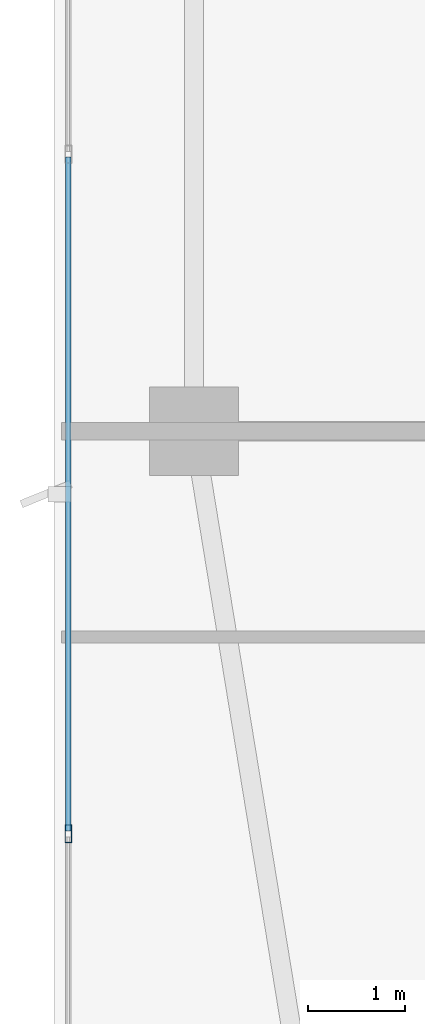
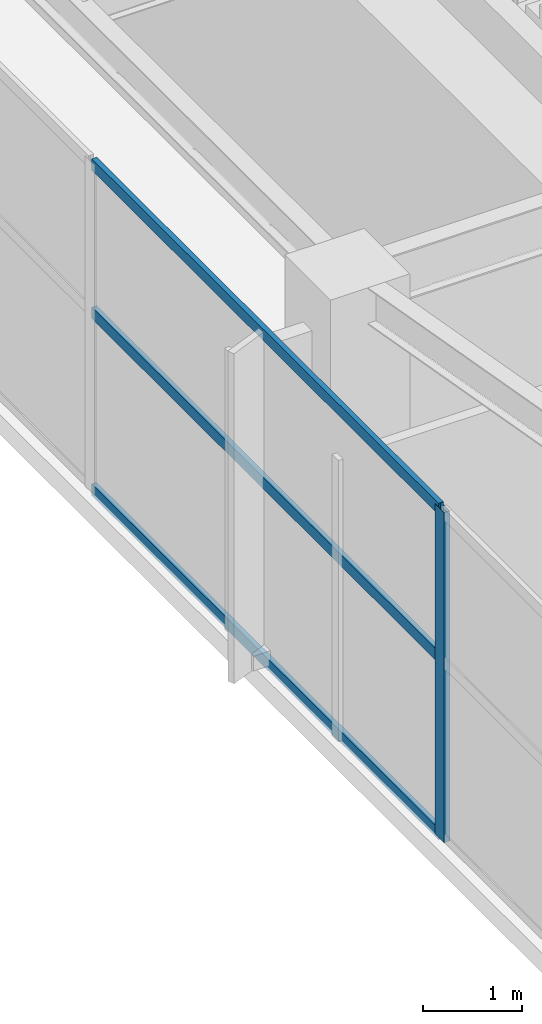
# One storey, part 4 of 29: 4 members, 1 element without a shape of its own.
"""IFC4 building model written with IfcOpenShell, lengths in metres."""

from ifc_helpers import new_model, si_unit, direction, frame, origin, origin_2d, place, context, subcontext, project, spatial, hollow_rectangle, extrude, material, layer, layer_set, material_profile, profile_set, type_object, element, aggregate, save


model = new_model("IFC4")

# Units and contexts
model_context = context("Model", 3, precision=1e-05, world=origin(), true_north=direction((0.0, 1.0)))
body_context = subcontext(model_context, "Body", "Model", "MODEL_VIEW")
ifc_project = project(units=[si_unit("LENGTHUNIT", "METRE"), si_unit("AREAUNIT", "SQUARE_METRE"), si_unit("VOLUMEUNIT", "CUBIC_METRE"), si_unit("PLANEANGLEUNIT", "RADIAN"), si_unit("MASSUNIT", "GRAM", prefix="KILO")], contexts=[model_context])

# Site, building, storey
site_placement = place(None, origin())
site = spatial("IfcSite", under=ifc_project, at=site_placement, CompositionType="ELEMENT")
building_placement = place(site_placement, origin())
building = spatial("IfcBuilding", under=site, at=building_placement, Name="Calvorn Quay Hotel", CompositionType="ELEMENT")
storey_placement = place(building_placement, frame((0.0, 0.0, 214.800048828125)))
storey = spatial("IfcBuildingStorey", under=building, at=storey_placement, Name="L53", CompositionType="ELEMENT", Elevation=214.800048828125)

# Curtain wall, members
ifc_material_1 = material(Name="Champagne Bronze Anodised Aluminium and Low-E Glass", Category="aluminium")
ifc_layer = layer(ifc_material_1, 0.219970703125)
ifc_layer_set = layer_set([ifc_layer], Name="CW-SYS-Z3")
curtain_wall_type = type_object("IfcCurtainWallType", Name="CW-SYS-Z3", PredefinedType="NOTDEFINED", material=ifc_layer_set)
curtain_wall_placement = place(storey_placement, origin())
curtain_wall = element("IfcCurtainWall", 1, at=curtain_wall_placement, inside=storey, type_object=curtain_wall_type, Name="Tower West Curtain Wall (L53)", PredefinedType="NOTDEFINED")
ifc_material_2 = material(Name="Champagne Bronze Anodised Aluminium 6063-T6", Category="aluminium")
ifc_material_profile_1 = material_profile(ifc_material_2, hollow_rectangle(XDim=0.068115234375, YDim=0.18505859375, WallThickness=0.00390625, at=origin_2d()), Name="ALU-M185x68x4")
ifc_profile_set_1 = profile_set([ifc_material_profile_1], Name="Champagne Bronze Anodised Aluminium 6063-T6")
member_type_1 = type_object("IfcMemberType", Name="CW-SYS-Z3-MUL", PredefinedType="MULLION", material=ifc_profile_set_1)
member_1_placement = place(storey_placement, frame((0.14990234375, 12.63330078125, 0.0), z_axis=(0.0, 0.0, 1.0), x_axis=(-1.0, 0.0, 0.0)))
member_1 = element("IfcMember", 2, at=member_1_placement, type_object=member_type_1, Name="CW-L53-W mullion 2", PredefinedType="MULLION", context=body_context, shape_type="SweptSolid", body=[
    extrude(hollow_rectangle(XDim=0.068115234375, YDim=0.18505859375, WallThickness=0.00390625, at=origin_2d()), origin(), (0.0, 0.0, 1.0), 4.050048828125),
])
ifc_material_3 = material(Name="Champagne Bronze Anodised Aluminium 6063-T6", Category="aluminium")
ifc_material_profile_2 = material_profile(ifc_material_3, hollow_rectangle(XDim=0.05810546875, YDim=0.139892578125, WallThickness=0.003173828125, at=origin_2d()), Name="ALU-T140x58x3.2")
ifc_profile_set_2 = profile_set([ifc_material_profile_2], Name="Champagne Bronze Anodised Aluminium 6063-T6")
member_type_2 = type_object("IfcMemberType", Name="CW-SYS-Z3-TRN", PredefinedType="USERDEFINED", material=ifc_profile_set_2)
member_2_placement = place(storey_placement, frame((0.14990234375, 12.663330078125, 0.030029296875), z_axis=(0.0, 1.0, 0.0), x_axis=(-1.0, 0.0, 0.0)))
member_2 = element("IfcMember", 3, at=member_2_placement, type_object=member_type_2, Name="CW-L53-W transom 2.1", ObjectType="TRANSOM", PredefinedType="USERDEFINED", context=body_context, shape_type="SweptSolid", body=[
    extrude(hollow_rectangle(XDim=0.05810546875, YDim=0.139892578125, WallThickness=0.003173828125, at=origin_2d()), origin(), (0.0, 0.0, 1.0), 6.973388671875),
])
member_3_placement = place(storey_placement, frame((0.14990234375, 12.663330078125, 2.199951171875), z_axis=(0.0, 1.0, 0.0), x_axis=(-1.0, 0.0, 0.0)))
member_3 = element("IfcMember", 4, at=member_3_placement, type_object=member_type_2, Name="CW-L53-W transom 2.2", ObjectType="TRANSOM", PredefinedType="USERDEFINED", context=body_context, shape_type="SweptSolid", body=[
    extrude(hollow_rectangle(XDim=0.05810546875, YDim=0.139892578125, WallThickness=0.003173828125, at=origin_2d()), origin(), (0.0, 0.0, 1.0), 6.973388671875),
])
member_4_placement = place(storey_placement, frame((0.14990234375, 12.663330078125, 4.02001953125), z_axis=(0.0, 1.0, 0.0), x_axis=(-1.0, 0.0, 0.0)))
member_4 = element("IfcMember", 5, at=member_4_placement, type_object=member_type_2, Name="CW-L53-W transom 2.3", ObjectType="TRANSOM", PredefinedType="USERDEFINED", context=body_context, shape_type="SweptSolid", body=[
    extrude(hollow_rectangle(XDim=0.05810546875, YDim=0.139892578125, WallThickness=0.003173828125, at=origin_2d()), origin(), (0.0, 0.0, 1.0), 6.973388671875),
])
aggregate(curtain_wall, [member_1, member_2, member_3, member_4])

save(model, "model.ifc")
